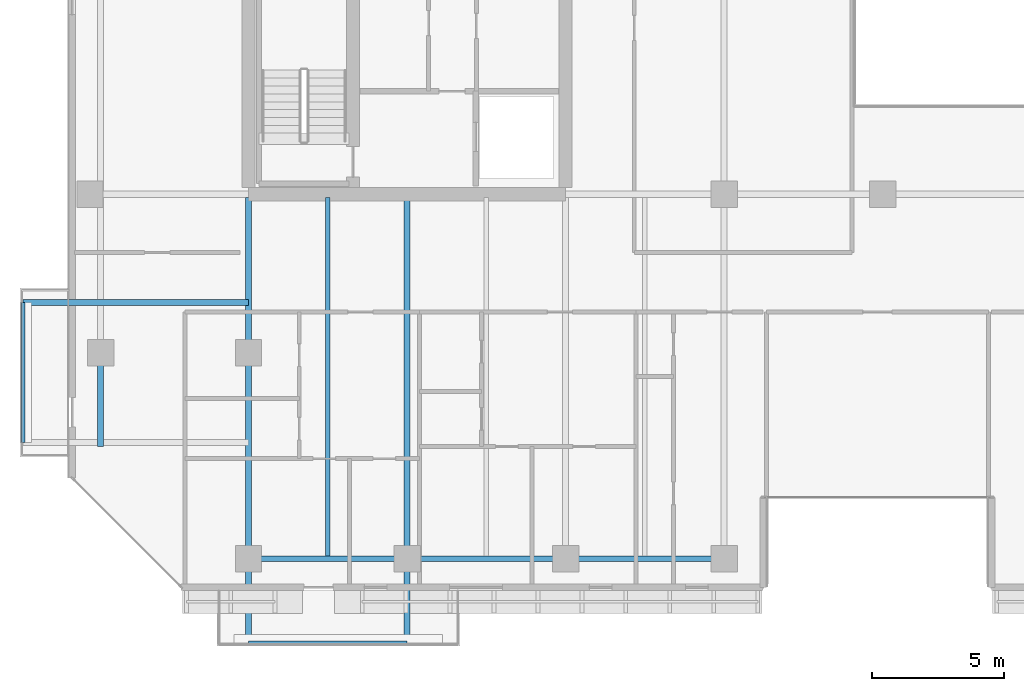
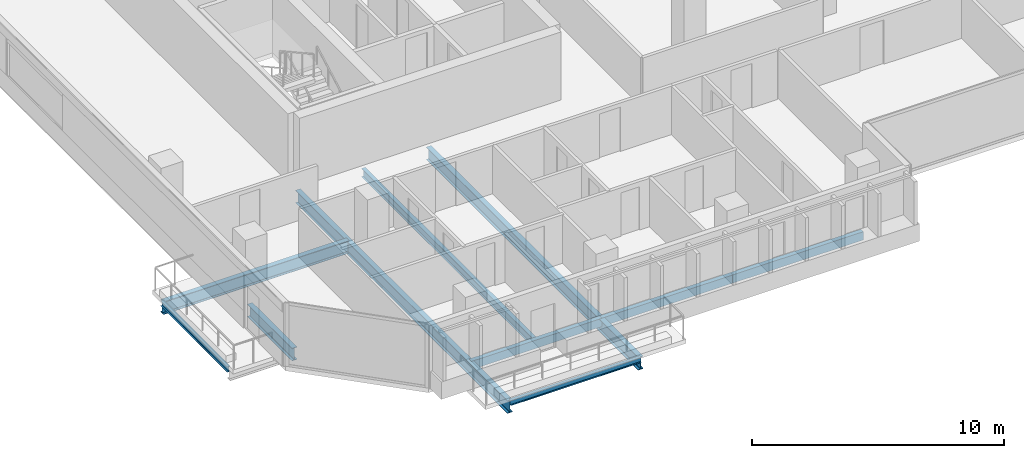
# One storey, part 3 of 33: 10 beams.
"""IFC4 building model written with IfcOpenShell, lengths in metres."""

from ifc_helpers import new_model, si_unit, direction, frame, origin, origin_2d, place, context, subcontext, project, spatial, hollow_rectangle, i_section, extrude, material, material_profile, profile_set, type_object, element, save


model = new_model("IFC4")

# Units and contexts
model_context = context("Model", 3, precision=1e-05, world=origin(), true_north=direction((0.0, 1.0)))
body_context = subcontext(model_context, "Body", "Model", "MODEL_VIEW")
ifc_project = project(units=[si_unit("LENGTHUNIT", "METRE"), si_unit("AREAUNIT", "SQUARE_METRE"), si_unit("VOLUMEUNIT", "CUBIC_METRE"), si_unit("PLANEANGLEUNIT", "RADIAN"), si_unit("MASSUNIT", "GRAM", prefix="KILO")], contexts=[model_context])

# Site, building, storey
site_placement = place(None, origin())
site = spatial("IfcSite", under=ifc_project, at=site_placement, CompositionType="ELEMENT")
building_placement = place(site_placement, origin())
building = spatial("IfcBuilding", under=site, at=building_placement, Name="Tanjung Sevakor Pilgrim Tower", CompositionType="ELEMENT")
storey_placement = place(building_placement, frame((0.0, 0.0, 95.3701171875)))
storey = spatial("IfcBuildingStorey", under=building, at=storey_placement, Name="L26", CompositionType="ELEMENT", Elevation=95.3701171875)

# Beams
ifc_material_1 = material(Name="Steel S355J2", Category="steel")
ifc_material_profile_1 = material_profile(ifc_material_1, i_section(OverallWidth=0.230224609375, OverallDepth=0.6171875, WebThickness=0.01318359375, FlangeThickness=0.022216796875, FilletRadius=0.0126953125, at=origin_2d()))
ifc_profile_set_1 = profile_set([ifc_material_profile_1], Name="Steel S355J2")
beam_type_1 = type_object("IfcBeamType", Name="BM-B-G3-UB_610x229x140", PredefinedType="BEAM", material=ifc_profile_set_1)
for number, where, z_axis, x_axis, name in (
    (1, (24.0, 24.47265625, -0.52880859375), (0.0, -1.0, 0.0), (1.0, 0.0, 0.0), "L26 Balcony Cantilever Beam MAIN-S1-1"),
    (2, (30.0, 24.47265625, -0.52880859375), (0.0, -1.0, 0.0), (1.0, 0.0, 0.0), "L26 Balcony Cantilever Beam MAIN-S1-2"),
):
    element("IfcBeam", number, at=place(storey_placement, frame(where, z_axis=z_axis, x_axis=x_axis)), inside=storey, type_object=beam_type_1, Name=name, PredefinedType="BEAM", context=body_context, shape_type="SweptSolid", body=[
        extrude(i_section(OverallWidth=0.230224609375, OverallDepth=0.6171875, WebThickness=0.01318359375, FlangeThickness=0.022216796875, FilletRadius=0.0126953125, at=origin_2d()), origin(), (0.0, 0.0, 1.0), 16.8525390625),
    ])
ifc_material_2 = material(Name="Steel S355J2", Category="steel")
ifc_material_profile_2 = material_profile(ifc_material_2, i_section(OverallWidth=0.22900390625, OverallDepth=0.6123046875, WebThickness=0.011962890625, FlangeThickness=0.01953125, FilletRadius=0.0126953125, at=origin_2d()))
ifc_profile_set_2 = profile_set([ifc_material_profile_2], Name="Steel S355J2")
beam_type_2 = type_object("IfcBeamType", Name="BM-B-G4-UB_610x229x125", PredefinedType="BEAM", material=ifc_profile_set_2)
beam_1_placement = place(storey_placement, frame((18.39990234375, 18.60009765625, -0.526123046875), z_axis=(0.0, -1.0, 0.0), x_axis=(1.0, 0.0, 0.0)))
element("IfcBeam", 3, at=beam_1_placement, inside=storey, type_object=beam_type_2, Name="L26 Short-End Edge Extension S-W", PredefinedType="BEAM", context=body_context, shape_type="SweptSolid", body=[
    extrude(i_section(OverallWidth=0.22900390625, OverallDepth=0.6123046875, WebThickness=0.011962890625, FlangeThickness=0.01953125, FilletRadius=0.0126953125, at=origin_2d()), origin(), (0.0, 0.0, 1.0), 3.550048828125),
])
beam_2_placement = place(storey_placement, frame((24.0, 20.5, -0.526123046875), z_axis=(-1.0, 0.0, 0.0), x_axis=(0.0, -1.0, 0.0)))
element("IfcBeam", 4, at=beam_2_placement, inside=storey, type_object=beam_type_2, Name="L26 Balcony Overhanging Beam MAIN-W1-2", PredefinedType="BEAM", context=body_context, shape_type="SweptSolid", body=[
    extrude(i_section(OverallWidth=0.22900390625, OverallDepth=0.6123046875, WebThickness=0.011962890625, FlangeThickness=0.01953125, FilletRadius=0.0126953125, at=origin_2d()), origin(), (0.0, 0.0, 1.0), 8.530029296875),
])
ifc_material_3 = material(Name="Steel S355J2", Category="steel")
ifc_material_profile_3 = material_profile(ifc_material_3, i_section(OverallWidth=0.1787109375, OverallDepth=0.409423828125, WebThickness=0.0087890625, FlangeThickness=0.014404296875, FilletRadius=0.01025390625, at=origin_2d()))
ifc_profile_set_3 = profile_set([ifc_material_profile_3], Name="Steel S355J2")
beam_type_3 = type_object("IfcBeamType", Name="BM-B-J3-UB_406x178x67", PredefinedType="JOIST", material=ifc_profile_set_3)
beam_3_placement = place(storey_placement, frame((27.0, 10.89990234375, -0.4248046875), z_axis=(0.0, 1.0, 0.0), x_axis=(-1.0, 0.0, 0.0)))
element("IfcBeam", 5, at=beam_3_placement, inside=storey, type_object=beam_type_3, Name="L26 MAIN Joist 001", PredefinedType="JOIST", context=body_context, shape_type="SweptSolid", body=[
    extrude(i_section(OverallWidth=0.1787109375, OverallDepth=0.409423828125, WebThickness=0.0087890625, FlangeThickness=0.014404296875, FilletRadius=0.01025390625, at=origin_2d()), origin(), (0.0, 0.0, 1.0), 13.57275390625),
])
ifc_material_4 = material(Name="Steel S355J2", Category="steel")
ifc_material_profile_4 = material_profile(ifc_material_4, i_section(OverallWidth=0.146484375, OverallDepth=0.256103515625, WebThickness=0.00634765625, FlangeThickness=0.010986328125, FilletRadius=0.007568359375, at=origin_2d()))
ifc_profile_set_4 = profile_set([ifc_material_profile_4], Name="Steel S355J2")
beam_type_4 = type_object("IfcBeamType", Name="BM-B-J6-UB_254x146x37", PredefinedType="JOIST", material=ifc_profile_set_4)
beam_4_placement = place(storey_placement, frame((24.0, 7.6201171875, -0.328125), z_axis=(1.0, 0.0, 0.0), x_axis=(0.0, 1.0, 0.0)))
element("IfcBeam", 6, at=beam_4_placement, inside=storey, type_object=beam_type_4, Name="L26 Balcony Rim Tie MAIN-S1", PredefinedType="JOIST", context=body_context, shape_type="SweptSolid", body=[
    extrude(i_section(OverallWidth=0.146484375, OverallDepth=0.256103515625, WebThickness=0.00634765625, FlangeThickness=0.010986328125, FilletRadius=0.007568359375, at=origin_2d()), origin(), (0.0, 0.0, 1.0), 6.0),
])
beam_5_placement = place(storey_placement, frame((15.469970703125, 15.199951171875, -0.328125), z_axis=(0.0, 1.0, 0.0), x_axis=(-1.0, 0.0, 0.0)))
element("IfcBeam", 7, at=beam_5_placement, inside=storey, type_object=beam_type_4, Name="L26 Balcony Rim Tie MAIN-W1", PredefinedType="JOIST", context=body_context, shape_type="SweptSolid", body=[
    extrude(i_section(OverallWidth=0.146484375, OverallDepth=0.256103515625, WebThickness=0.00634765625, FlangeThickness=0.010986328125, FilletRadius=0.007568359375, at=origin_2d()), origin(), (0.0, 0.0, 1.0), 5.300048828125),
])
ifc_material_5 = material(Name="Steel S355J2", Category="steel")
ifc_material_profile_5 = material_profile(ifc_material_5, hollow_rectangle(XDim=0.199951171875, YDim=0.39990234375, WallThickness=0.01611328125, at=origin_2d()))
ifc_profile_set_5 = profile_set([ifc_material_profile_5], Name="Steel S355J2")
beam_type_5 = type_object("IfcBeamType", Name="BM-B-SP2-RHS_400x200x16", PredefinedType="SPANDREL", material=ifc_profile_set_5)
for number, where, z_axis, x_axis, name in (
    (8, (24.0, 10.800048828125, -0.420166015625), (1.0, 0.0, 0.0), (0.0, 1.0, 0.0), "L26 Spandrel MAIN S-01"),
    (9, (30.0, 10.800048828125, -0.420166015625), (1.0, 0.0, 0.0), (0.0, 1.0, 0.0), "L26 Spandrel MAIN S-03"),
    (10, (36.0, 10.800048828125, -0.420166015625), (1.0, 0.0, 0.0), (0.0, 1.0, 0.0), "L26 Spandrel MAIN S-05"),
):
    element("IfcBeam", number, at=place(storey_placement, frame(where, z_axis=z_axis, x_axis=x_axis)), inside=storey, type_object=beam_type_5, Name=name, PredefinedType="SPANDREL", context=body_context, shape_type="SweptSolid", body=[
        extrude(hollow_rectangle(XDim=0.199951171875, YDim=0.39990234375, WallThickness=0.01611328125, at=origin_2d()), origin(), (0.0, 0.0, 1.0), 6.0),
    ])

save(model, "model.ifc")
